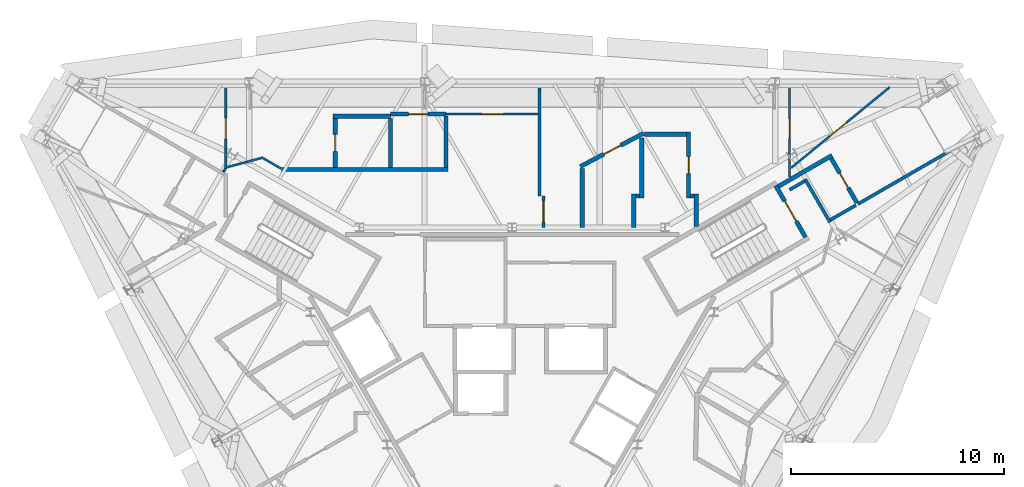
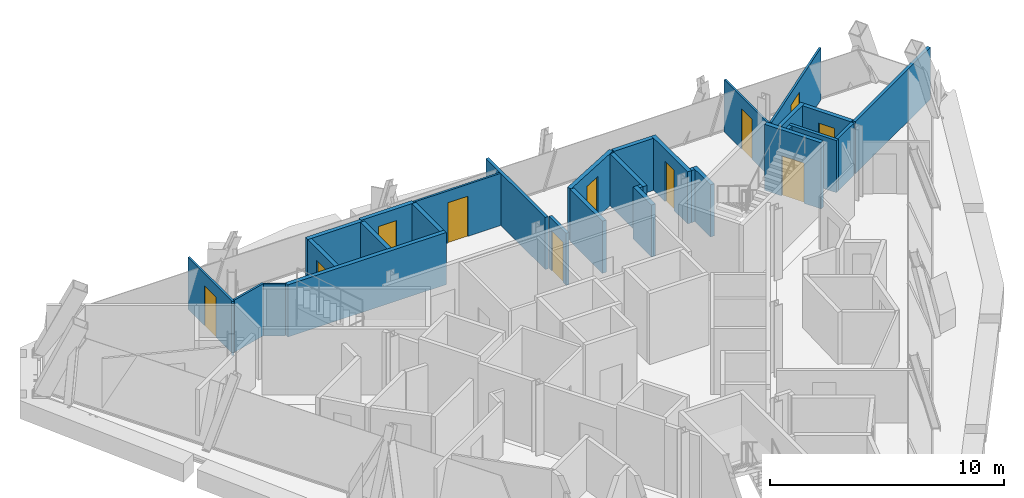
# One storey, part 10 of 13: 31 walls, 11 doors, 11 openings.
"""IFC4 building model written with IfcOpenShell, lengths in metres."""

from ifc_helpers import new_model, si_unit, direction, frame, frame_2d, origin, place, context, subcontext, project, spatial, rectangle, extrude, material, layer, layer_set, type_object, element, fill, save


model = new_model("IFC4")

# Units and contexts
model_context = context("Model", 3, precision=1e-05, world=origin(), true_north=direction((0.0, 1.0)))
body_context = subcontext(model_context, "Body", "Model", "MODEL_VIEW")
ifc_project = project(units=[si_unit("LENGTHUNIT", "METRE"), si_unit("AREAUNIT", "SQUARE_METRE"), si_unit("VOLUMEUNIT", "CUBIC_METRE"), si_unit("PLANEANGLEUNIT", "RADIAN"), si_unit("MASSUNIT", "GRAM", prefix="KILO")], contexts=[model_context])

# Site, building, storey
site_placement = place(None, origin())
site = spatial("IfcSite", under=ifc_project, at=site_placement, CompositionType="ELEMENT")
building_placement = place(site_placement, origin())
building = spatial("IfcBuilding", under=site, at=building_placement, Name="Verrane Prism Tower", CompositionType="ELEMENT")
storey_placement = place(building_placement, frame((0.0, 0.0, 304.699951171875)))
storey = spatial("IfcBuildingStorey", under=building, at=storey_placement, Name="L77", CompositionType="ELEMENT", Elevation=304.699951171875)

# Wall, opening, door
ifc_material_1 = material(Name="Concrete C40/50", Category="concrete")
ifc_layer_1 = layer(ifc_material_1, 0.199951171875)
ifc_layer_set_1 = layer_set([ifc_layer_1], Name="CW-200 stair core wall concrete C40/50 3 h")
wall_type_1 = type_object("IfcWallType", Name="CW-200 stair core wall concrete C40/50 3 h", PredefinedType="PARTITIONING", material=ifc_layer_set_1)
wall_1_placement = place(storey_placement, frame((13.777099609375, 6.337646484375, 0.0), z_axis=(0.0, 0.0, 1.0), x_axis=(-0.500049511043, 0.865996816683, 0.0)))
wall_1 = element("IfcWall", 1, at=wall_1_placement, inside=storey, type_object=wall_type_1, Name="Stair 1 enclosure wall", PredefinedType="PARTITIONING", context=body_context, shape_type="SweptSolid", body=[
    extrude(rectangle(XDim=2.800048828125, YDim=0.199951171875, at=frame_2d((1.39990234375, 0.0))), origin(), (0.0, 0.0, 1.0), 3.449951171875),
])
opening_1_placement = place(wall_1_placement, frame((0.849853515625, 0.0, 0.0)))
opening_1 = element("IfcOpeningElement", 2, at=opening_1_placement, cuts=wall_1, Name="Opening D75500", PredefinedType="OPENING", context=body_context, shape_type="SweptSolid", body=[
    extrude(rectangle(XDim=1.10009765625, YDim=2.10009765625, at=frame_2d((0.550048828125, 1.050048828125))), frame((0.0, 0.10986328125, 0.0), z_axis=(0.0, -1.0, 0.0), x_axis=(1.0, 0.0, 0.0)), (0.0, 0.0, 1.0), 0.219970703125),
])
ifc_material_2 = material(Name="Timber veneered door leaf", Category="wood")
door_type_1 = type_object("IfcDoorType", Name="DR-1100x2100 FD90 single leaf stair", OperationType="NOTDEFINED", PredefinedType="DOOR", material=ifc_material_2)
door_1_placement = place(opening_1_placement, origin())
door_1 = element("IfcDoor", 3, at=door_1_placement, inside=storey, type_object=door_type_1, Name="Stair 1 door", OperationType="SINGLE_SWING_LEFT", OverallHeight=2.10009765625, OverallWidth=1.10009765625, PredefinedType="DOOR", context=body_context, shape_type="SweptSolid", body=[
    extrude(rectangle(XDim=1.10009765625, YDim=2.10009765625, at=frame_2d((0.550048828125, 1.050048828125))), frame((0.0, 0.02490234375, 0.0), z_axis=(0.0, -1.0, 0.0), x_axis=(1.0, 0.0, 0.0)), (0.0, 0.0, 1.0), 0.050048828125),
])
fill(opening_1, door_1)

# Wall
ifc_material_3 = material(Name="Gypsum board partition", Category="other")
ifc_layer_2 = layer(ifc_material_3, 0.10009765625)
ifc_layer_set_2 = layer_set([ifc_layer_2], Name="PW-100 room partition")
wall_type_2 = type_object("IfcWallType", Name="PW-100 room partition", PredefinedType="PARTITIONING", material=ifc_layer_set_2)
wall_2_placement = place(storey_placement, frame((-13.5654296875, 9.404052734375, 0.0), z_axis=(0.0, 0.0, 1.0), x_axis=(0.500563174455, 0.865700010615, 0.0)))
element("IfcWall", 4, at=wall_2_placement, inside=storey, type_object=wall_type_2, Name="Room partition 009", PredefinedType="PARTITIONING", context=body_context, shape_type="SweptSolid", body=[
    extrude(rectangle(XDim=0.142333984375, YDim=0.10009765625, at=frame_2d((0.0712890625, 0.0))), origin(), (0.0, 0.0, 1.0), 2.72314453125),
])

# Wall, opening, door
wall_3_placement = place(storey_placement, frame((-13.458984375, 9.5380859375, 0.0), z_axis=(0.0, 0.0, 1.0), x_axis=(0.0, 1.0, 0.0)))
wall_3 = element("IfcWall", 5, at=wall_3_placement, inside=storey, type_object=wall_type_2, Name="Room partition 011", PredefinedType="PARTITIONING", context=body_context, shape_type="SweptSolid", body=[
    extrude(rectangle(XDim=3.81298828125, YDim=0.10009765625, at=frame_2d((1.906494140625, 0.0))), origin(), (0.0, 0.0, 1.0), 2.72314453125),
])
opening_2_placement = place(wall_3_placement, frame((1.39990234375, 0.0, 0.0)))
opening_2 = element("IfcOpeningElement", 6, at=opening_2_placement, cuts=wall_3, Name="Opening D75019", PredefinedType="OPENING", context=body_context, shape_type="SweptSolid", body=[
    extrude(rectangle(XDim=1.0, YDim=2.10009765625, at=frame_2d((0.5, 1.050048828125))), frame((0.0, 0.06005859375, 0.0), z_axis=(0.0, -1.0, 0.0), x_axis=(1.0, 0.0, 0.0)), (0.0, 0.0, 1.0), 0.1201171875),
])
ifc_material_4 = material(Name="Timber veneered door leaf", Category="wood")
door_type_2 = type_object("IfcDoorType", Name="DR-1000x2100 single leaf inner", OperationType="NOTDEFINED", PredefinedType="DOOR", material=ifc_material_4)
door_2_placement = place(opening_2_placement, origin())
door_2 = element("IfcDoor", 7, at=door_2_placement, inside=storey, type_object=door_type_2, Name="Living And Dining Room door", OperationType="SINGLE_SWING_LEFT", OverallHeight=2.10009765625, OverallWidth=1.0, PredefinedType="DOOR", context=body_context, shape_type="SweptSolid", body=[
    extrude(rectangle(XDim=1.0, YDim=2.10009765625, at=frame_2d((0.5, 1.050048828125))), frame((0.0, 0.02490234375, 0.0), z_axis=(0.0, -1.0, 0.0), x_axis=(1.0, 0.0, 0.0)), (0.0, 0.0, 1.0), 0.050048828125),
])
fill(opening_2, door_2)

# Walls
wall_4_placement = place(storey_placement, frame((-13.383056640625, 9.6279296875, 0.0), z_axis=(0.0, 0.0, 1.0), x_axis=(0.966010217228, 0.258503888194, 0.0)))
element("IfcWall", 8, at=wall_4_placement, inside=storey, type_object=wall_type_2, Name="Room partition 012", PredefinedType="PARTITIONING", context=body_context, shape_type="SweptSolid", body=[
    extrude(rectangle(XDim=1.751953125, YDim=0.10009765625, at=frame_2d((0.8759765625, 0.0))), origin(), (0.0, 0.0, 1.0), 2.72314453125),
])
wall_5_placement = place(storey_placement, frame((-11.678466796875, 10.032958984375, 0.0), z_axis=(0.0, 0.0, 1.0), x_axis=(0.866116627388, -0.499841962787, 0.0)))
element("IfcWall", 9, at=wall_5_placement, inside=storey, type_object=wall_type_2, Name="Room partition 016", PredefinedType="PARTITIONING", context=body_context, shape_type="SweptSolid", body=[
    extrude(rectangle(XDim=0.943115234375, YDim=0.10009765625, at=frame_2d((0.4716796875, 0.0))), origin(), (0.0, 0.0, 1.0), 2.72314453125),
])

# Wall, opening, door
wall_6_placement = place(storey_placement, frame((-3.10888671875, 12.118896484375, 0.0), z_axis=(0.0, 0.0, 1.0), x_axis=(1.0, 0.0, 0.0)))
wall_6 = element("IfcWall", 10, at=wall_6_placement, inside=storey, type_object=wall_type_2, Name="Room partition 039", PredefinedType="PARTITIONING", context=body_context, shape_type="SweptSolid", body=[
    extrude(rectangle(XDim=4.31982421875, YDim=0.10009765625, at=frame_2d((2.159912109375, 0.0))), origin(), (0.0, 0.0, 1.0), 2.72314453125),
])
opening_3_placement = place(wall_6_placement, frame((1.699951171875, 0.0, 0.0)))
opening_3 = element("IfcOpeningElement", 11, at=opening_3_placement, cuts=wall_6, Name="Opening D75017", PredefinedType="OPENING", context=body_context, shape_type="SweptSolid", body=[
    extrude(rectangle(XDim=1.0, YDim=2.10009765625, at=frame_2d((0.5, 1.050048828125))), frame((0.0, 0.06005859375, 0.0), z_axis=(0.0, -1.0, 0.0), x_axis=(1.0, 0.0, 0.0)), (0.0, 0.0, 1.0), 0.1201171875),
])
door_3_placement = place(opening_3_placement, origin())
door_3 = element("IfcDoor", 12, at=door_3_placement, inside=storey, type_object=door_type_2, Name="Entrance Foyer door", OperationType="SINGLE_SWING_LEFT", OverallHeight=2.10009765625, OverallWidth=1.0, PredefinedType="DOOR", context=body_context, shape_type="SweptSolid", body=[
    extrude(rectangle(XDim=1.0, YDim=2.10009765625, at=frame_2d((0.5, 1.050048828125))), frame((0.0, 0.02490234375, 0.0), z_axis=(0.0, -1.0, 0.0), x_axis=(1.0, 0.0, 0.0)), (0.0, 0.0, 1.0), 0.050048828125),
])
fill(opening_3, door_3)

wall_7_placement = place(storey_placement, frame((13.031005859375, 13.35107421875, 0.0), z_axis=(0.0, 0.0, 1.0), x_axis=(0.0, -1.0, 0.0)))
wall_7 = element("IfcWall", 13, at=wall_7_placement, inside=storey, type_object=wall_type_2, Name="Room partition 084", PredefinedType="PARTITIONING", context=body_context, shape_type="SweptSolid", body=[
    extrude(rectangle(XDim=4.1826171875, YDim=0.10009765625, at=frame_2d((2.09130859375, 0.0))), origin(), (0.0, 0.0, 1.0), 2.72314453125),
])
opening_4_placement = place(wall_7_placement, frame((1.468994140625, 0.0, 0.0)))
opening_4 = element("IfcOpeningElement", 14, at=opening_4_placement, cuts=wall_7, Name="Opening D75011", PredefinedType="OPENING", context=body_context, shape_type="SweptSolid", body=[
    extrude(rectangle(XDim=0.89990234375, YDim=2.10009765625, at=frame_2d((0.449951171875, 1.050048828125))), frame((0.0, 0.06005859375, 0.0), z_axis=(0.0, -1.0, 0.0), x_axis=(1.0, 0.0, 0.0)), (0.0, 0.0, 1.0), 0.1201171875),
])
ifc_material_5 = material(Name="Timber veneered door leaf", Category="wood")
door_type_3 = type_object("IfcDoorType", Name="DR-900x2100 single leaf inner", OperationType="NOTDEFINED", PredefinedType="DOOR", material=ifc_material_5)
door_4_placement = place(opening_4_placement, origin())
door_4 = element("IfcDoor", 15, at=door_4_placement, inside=storey, type_object=door_type_3, Name="Living And Dining Room door", OperationType="SINGLE_SWING_RIGHT", OverallHeight=2.10009765625, OverallWidth=0.89990234375, PredefinedType="DOOR", context=body_context, shape_type="SweptSolid", body=[
    extrude(rectangle(XDim=0.89990234375, YDim=2.10009765625, at=frame_2d((0.449951171875, 1.050048828125))), frame((0.0, 0.02490234375, 0.0), z_axis=(0.0, -1.0, 0.0), x_axis=(1.0, 0.0, 0.0)), (0.0, 0.0, 1.0), 0.050048828125),
])
fill(opening_4, door_4)

wall_8_placement = place(storey_placement, frame((17.73291015625, 13.38037109375, 0.0), z_axis=(0.0, 0.0, 1.0), x_axis=(-0.773858908961, -0.633358025939, 0.0)))
wall_8 = element("IfcWall", 16, at=wall_8_placement, inside=storey, type_object=wall_type_2, Name="Room partition 085", PredefinedType="PARTITIONING", context=body_context, shape_type="SweptSolid", body=[
    extrude(rectangle(XDim=5.970458984375, YDim=0.10009765625, at=frame_2d((2.9853515625, 0.0))), origin(), (0.0, 0.0, 1.0), 2.72314453125),
])
opening_5_placement = place(wall_8_placement, frame((2.6259765625, 0.0, 0.0)))
opening_5 = element("IfcOpeningElement", 17, at=opening_5_placement, cuts=wall_8, Name="Opening D75015", PredefinedType="OPENING", context=body_context, shape_type="SweptSolid", body=[
    extrude(rectangle(XDim=1.0, YDim=2.10009765625, at=frame_2d((0.5, 1.050048828125))), frame((0.0, 0.06005859375, 0.0), z_axis=(0.0, -1.0, 0.0), x_axis=(1.0, 0.0, 0.0)), (0.0, 0.0, 1.0), 0.1201171875),
])
door_5_placement = place(opening_5_placement, origin())
door_5 = element("IfcDoor", 18, at=door_5_placement, inside=storey, type_object=door_type_2, Name="Study door", OperationType="SINGLE_SWING_RIGHT", OverallHeight=2.10009765625, OverallWidth=1.0, PredefinedType="DOOR", context=body_context, shape_type="SweptSolid", body=[
    extrude(rectangle(XDim=1.0, YDim=2.10009765625, at=frame_2d((0.5, 1.050048828125))), frame((0.0, 0.02490234375, 0.0), z_axis=(0.0, -1.0, 0.0), x_axis=(1.0, 0.0, 0.0)), (0.0, 0.0, 1.0), 0.050048828125),
])
fill(opening_5, door_5)

# Wall
ifc_material_6 = material(Name="Gypsum board partition", Category="other")
ifc_layer_3 = layer(ifc_material_6, 0.14990234375)
ifc_layer_set_3 = layer_set([ifc_layer_3], Name="PW-150 demising wall 1 h")
wall_type_3 = type_object("IfcWallType", Name="PW-150 demising wall 1 h", PredefinedType="PARTITIONING", material=ifc_layer_set_3)
wall_9_placement = place(storey_placement, frame((1.285888671875, 8.26904296875, 0.0), z_axis=(0.0, 0.0, 1.0), x_axis=(0.0, 1.0, 0.0)))
element("IfcWall", 19, at=wall_9_placement, inside=storey, type_object=wall_type_3, Name="Demising wall 047", PredefinedType="PARTITIONING", context=body_context, shape_type="SweptSolid", body=[
    extrude(rectangle(XDim=5.08203125, YDim=0.14990234375, at=frame_2d((2.541015625, 0.0))), origin(), (0.0, 0.0, 1.0), 2.72314453125),
])

# Wall, opening, door
wall_10_placement = place(storey_placement, frame((1.468994140625, 8.26904296875, 0.0), z_axis=(0.0, 0.0, 1.0), x_axis=(0.0, -1.0, 0.0)))
wall_10 = element("IfcWall", 20, at=wall_10_placement, inside=storey, type_object=wall_type_3, Name="Demising wall 050", PredefinedType="PARTITIONING", context=body_context, shape_type="SweptSolid", body=[
    extrude(rectangle(XDim=1.468994140625, YDim=0.14990234375, at=frame_2d((0.734375, 0.0))), origin(), (0.0, 0.0, 1.0), 2.72314453125),
])
opening_6_placement = place(wall_10_placement, frame((0.218994140625, 0.0, 0.0)))
opening_6 = element("IfcOpeningElement", 21, at=opening_6_placement, cuts=wall_10, Name="Opening D75013", PredefinedType="OPENING", context=body_context, shape_type="SweptSolid", body=[
    extrude(rectangle(XDim=1.0, YDim=2.10009765625, at=frame_2d((0.5, 1.050048828125))), frame((0.0, 0.0849609375, 0.0), z_axis=(0.0, -1.0, 0.0), x_axis=(1.0, 0.0, 0.0)), (0.0, 0.0, 1.0), 0.169921875),
])
ifc_material_7 = material(Name="Timber veneered door leaf", Category="wood")
door_type_4 = type_object("IfcDoorType", Name="DR-1000x2100 FD20 single leaf inner", OperationType="NOTDEFINED", PredefinedType="DOOR", material=ifc_material_7)
door_6_placement = place(opening_6_placement, origin())
door_6 = element("IfcDoor", 22, at=door_6_placement, inside=storey, type_object=door_type_4, Name="Entrance Foyer door", OperationType="SINGLE_SWING_RIGHT", OverallHeight=2.10009765625, OverallWidth=1.0, PredefinedType="DOOR", context=body_context, shape_type="SweptSolid", body=[
    extrude(rectangle(XDim=1.0, YDim=2.10009765625, at=frame_2d((0.5, 1.050048828125))), frame((0.0, 0.02490234375, 0.0), z_axis=(0.0, -1.0, 0.0), x_axis=(1.0, 0.0, 0.0)), (0.0, 0.0, 1.0), 0.050048828125),
])
fill(opening_6, door_6)

# Walls
wall_11_placement = place(storey_placement, frame((13.031005859375, 8.56201171875, 0.0), z_axis=(0.0, 0.0, 1.0), x_axis=(0.865798205633, 0.500393312429, 0.0)))
element("IfcWall", 23, at=wall_11_placement, inside=storey, type_object=wall_type_3, Name="Demising wall 083", PredefinedType="PARTITIONING", context=body_context, shape_type="SweptSolid", body=[
    extrude(rectangle(XDim=0.808349609375, YDim=0.14990234375, at=frame_2d((0.404296875, 0.0))), origin(), (0.0, 0.0, 1.0), 2.72314453125),
])
wall_12_placement = place(storey_placement, frame((13.758544921875, 9.06884765625, 0.0), z_axis=(0.0, 0.0, 1.0), x_axis=(0.500046885369, -0.865998332812, 0.0)))
element("IfcWall", 24, at=wall_12_placement, inside=storey, type_object=wall_type_3, Name="Demising wall 086", PredefinedType="PARTITIONING", context=body_context, shape_type="SweptSolid", body=[
    extrude(rectangle(XDim=2.344970703125, YDim=0.14990234375, at=frame_2d((1.17236328125, 0.0))), origin(), (0.0, 0.0, 1.0), 2.72314453125),
])
wall_13_placement = place(storey_placement, frame((14.953857421875, 7.1494140625, 0.0), z_axis=(0.0, 0.0, 1.0), x_axis=(0.865960792519, 0.5001118933, 0.0)))
element("IfcWall", 25, at=wall_13_placement, inside=storey, type_object=wall_type_3, Name="Demising wall 088", PredefinedType="PARTITIONING", context=body_context, shape_type="SweptSolid", body=[
    extrude(rectangle(XDim=1.374755859375, YDim=0.14990234375, at=frame_2d((0.6875, 0.0))), origin(), (0.0, 0.0, 1.0), 2.72314453125),
])
wall_14_placement = place(storey_placement, frame((16.236083984375, 7.888916015625, 0.0), z_axis=(0.0, 0.0, 1.0), x_axis=(0.865995456094, 0.500051867335, 0.0)))
element("IfcWall", 26, at=wall_14_placement, inside=storey, type_object=wall_type_3, Name="Demising wall 091", PredefinedType="PARTITIONING", context=body_context, shape_type="SweptSolid", body=[
    extrude(rectangle(XDim=6.415283203125, YDim=0.14990234375, at=frame_2d((3.20751953125, 0.0))), origin(), (0.0, 0.0, 1.0), 2.72314453125),
])
ifc_material_8 = material(Name="Gypsum board partition", Category="other")
ifc_layer_4 = layer(ifc_material_8, 0.199951171875)
ifc_layer_set_4 = layer_set([ifc_layer_4], Name="PW-200 plumbing wall")
wall_type_4 = type_object("IfcWallType", Name="PW-200 plumbing wall", PredefinedType="PARTITIONING", material=ifc_layer_set_4)
wall_15_placement = place(storey_placement, frame((-10.837890625, 9.51904296875, 0.0), z_axis=(0.0, 0.0, 1.0), x_axis=(1.0, 0.0, 0.0)))
element("IfcWall", 27, at=wall_15_placement, inside=storey, type_object=wall_type_4, Name="Plumbing wall 019", PredefinedType="PARTITIONING", context=body_context, shape_type="SweptSolid", body=[
    extrude(rectangle(XDim=7.823974609375, YDim=0.199951171875, at=frame_2d((3.912109375, 0.0))), origin(), (0.0, 0.0, 1.0), 2.72314453125),
])

# Wall, opening, door
wall_16_placement = place(storey_placement, frame((-8.31396484375, 11.9189453125, 0.0), z_axis=(0.0, 0.0, 1.0), x_axis=(0.0, -1.0, 0.0)))
wall_16 = element("IfcWall", 28, at=wall_16_placement, inside=storey, type_object=wall_type_4, Name="Plumbing wall 022", PredefinedType="PARTITIONING", context=body_context, shape_type="SweptSolid", body=[
    extrude(rectangle(XDim=2.300048828125, YDim=0.199951171875, at=frame_2d((1.14990234375, 0.0))), origin(), (0.0, 0.0, 1.0), 2.72314453125),
])
opening_7_placement = place(wall_16_placement, frame((0.75, 0.0, 0.0)))
opening_7 = element("IfcOpeningElement", 29, at=opening_7_placement, cuts=wall_16, Name="Opening D75020", PredefinedType="OPENING", context=body_context, shape_type="SweptSolid", body=[
    extrude(rectangle(XDim=0.800048828125, YDim=2.10009765625, at=frame_2d((0.39990234375, 1.050048828125))), frame((0.0, 0.10986328125, 0.0), z_axis=(0.0, -1.0, 0.0), x_axis=(1.0, 0.0, 0.0)), (0.0, 0.0, 1.0), 0.219970703125),
])
ifc_material_9 = material(Name="Timber veneered door leaf", Category="wood")
door_type_5 = type_object("IfcDoorType", Name="DR-800x2100 single leaf inner", OperationType="NOTDEFINED", PredefinedType="DOOR", material=ifc_material_9)
door_7_placement = place(opening_7_placement, origin())
door_7 = element("IfcDoor", 30, at=door_7_placement, inside=storey, type_object=door_type_5, Name="Bathroom door", OperationType="SINGLE_SWING_LEFT", OverallHeight=2.10009765625, OverallWidth=0.800048828125, PredefinedType="DOOR", context=body_context, shape_type="SweptSolid", body=[
    extrude(rectangle(XDim=0.800048828125, YDim=2.10009765625, at=frame_2d((0.39990234375, 1.050048828125))), frame((0.0, 0.02490234375, 0.0), z_axis=(0.0, -1.0, 0.0), x_axis=(1.0, 0.0, 0.0)), (0.0, 0.0, 1.0), 0.050048828125),
])
fill(opening_7, door_7)

# Walls
wall_17_placement = place(storey_placement, frame((-8.4140625, 12.01904296875, 0.0), z_axis=(0.0, 0.0, 1.0), x_axis=(1.0, 0.0, 0.0)))
element("IfcWall", 31, at=wall_17_placement, inside=storey, type_object=wall_type_4, Name="Plumbing wall 023", PredefinedType="PARTITIONING", context=body_context, shape_type="SweptSolid", body=[
    extrude(rectangle(XDim=2.699951171875, YDim=0.199951171875, at=frame_2d((1.35009765625, 0.0))), origin(), (0.0, 0.0, 1.0), 2.72314453125),
])
wall_18_placement = place(storey_placement, frame((-5.714111328125, 9.618896484375, 0.0), z_axis=(0.0, 0.0, 1.0), x_axis=(0.0, 1.0, 0.0)))
element("IfcWall", 32, at=wall_18_placement, inside=storey, type_object=wall_type_4, Name="Plumbing wall 030", PredefinedType="PARTITIONING", context=body_context, shape_type="SweptSolid", body=[
    extrude(rectangle(XDim=2.300048828125, YDim=0.199951171875, at=frame_2d((1.14990234375, 0.0))), origin(), (0.0, 0.0, 1.0), 2.72314453125),
])

# Wall, opening, door
wall_19_placement = place(storey_placement, frame((-3.10888671875, 12.118896484375, 0.0), z_axis=(0.0, 0.0, 1.0), x_axis=(-1.0, 0.0, 0.0)))
wall_19 = element("IfcWall", 33, at=wall_19_placement, inside=storey, type_object=wall_type_4, Name="Plumbing wall 031", PredefinedType="PARTITIONING", context=body_context, shape_type="SweptSolid", body=[
    extrude(rectangle(XDim=2.605224609375, YDim=0.199951171875, at=frame_2d((1.302734375, 0.0))), origin(), (0.0, 0.0, 1.0), 2.72314453125),
])
opening_8_placement = place(wall_19_placement, frame((0.85498046875, 0.0, 0.0)))
opening_8 = element("IfcOpeningElement", 34, at=opening_8_placement, cuts=wall_19, Name="Opening D75018", PredefinedType="OPENING", context=body_context, shape_type="SweptSolid", body=[
    extrude(rectangle(XDim=0.89990234375, YDim=2.10009765625, at=frame_2d((0.449951171875, 1.050048828125))), frame((0.0, 0.10986328125, 0.0), z_axis=(0.0, -1.0, 0.0), x_axis=(1.0, 0.0, 0.0)), (0.0, 0.0, 1.0), 0.219970703125),
])
door_8_placement = place(opening_8_placement, origin())
door_8 = element("IfcDoor", 35, at=door_8_placement, inside=storey, type_object=door_type_3, Name="Kitchen door", OperationType="SINGLE_SWING_LEFT", OverallHeight=2.10009765625, OverallWidth=0.89990234375, PredefinedType="DOOR", context=body_context, shape_type="SweptSolid", body=[
    extrude(rectangle(XDim=0.89990234375, YDim=2.10009765625, at=frame_2d((0.449951171875, 1.050048828125))), frame((0.0, 0.02490234375, 0.0), z_axis=(0.0, -1.0, 0.0), x_axis=(1.0, 0.0, 0.0)), (0.0, 0.0, 1.0), 0.050048828125),
])
fill(opening_8, door_8)

# Walls
wall_20_placement = place(storey_placement, frame((-3.114013671875, 9.618896484375, 0.0), z_axis=(0.0, 0.0, 1.0), x_axis=(0.0, 1.0, 0.0)))
element("IfcWall", 36, at=wall_20_placement, inside=storey, type_object=wall_type_4, Name="Plumbing wall 038", PredefinedType="PARTITIONING", context=body_context, shape_type="SweptSolid", body=[
    extrude(rectangle(XDim=2.400146484375, YDim=0.199951171875, at=frame_2d((1.2001953125, 0.0))), origin(), (0.0, 0.0, 1.0), 2.72314453125),
])
wall_21_placement = place(storey_placement, frame((3.285888671875, 6.800048828125, 0.0), z_axis=(0.0, 0.0, 1.0), x_axis=(0.0, 1.0, 0.0)))
element("IfcWall", 37, at=wall_21_placement, inside=storey, type_object=wall_type_4, Name="Plumbing wall 056", PredefinedType="PARTITIONING", context=body_context, shape_type="SweptSolid", body=[
    extrude(rectangle(XDim=2.764892578125, YDim=0.199951171875, at=frame_2d((1.38232421875, 0.0))), origin(), (0.0, 0.0, 1.0), 2.72314453125),
])

# Wall, opening, door
wall_22_placement = place(storey_placement, frame((6.174560546875, 11.215576171875, 0.0), z_axis=(0.0, 0.0, 1.0), x_axis=(-0.885512941371, -0.464614712062, 0.0)))
wall_22 = element("IfcWall", 38, at=wall_22_placement, inside=storey, type_object=wall_type_4, Name="Plumbing wall 057", PredefinedType="PARTITIONING", context=body_context, shape_type="SweptSolid", body=[
    extrude(rectangle(XDim=3.362060546875, YDim=0.199951171875, at=frame_2d((1.68115234375, 0.0))), origin(), (0.0, 0.0, 1.0), 2.72314453125),
])
opening_9_placement = place(wall_22_placement, frame((1.2119140625, 0.0, 0.0)))
opening_9 = element("IfcOpeningElement", 39, at=opening_9_placement, cuts=wall_22, Name="Opening D75014", PredefinedType="OPENING", context=body_context, shape_type="SweptSolid", body=[
    extrude(rectangle(XDim=0.89990234375, YDim=2.10009765625, at=frame_2d((0.449951171875, 1.050048828125))), frame((0.0, 0.10986328125, 0.0), z_axis=(0.0, -1.0, 0.0), x_axis=(1.0, 0.0, 0.0)), (0.0, 0.0, 1.0), 0.219970703125),
])
door_9_placement = place(opening_9_placement, origin())
door_9 = element("IfcDoor", 40, at=door_9_placement, inside=storey, type_object=door_type_3, Name="Kitchen door", OperationType="SINGLE_SWING_LEFT", OverallHeight=2.10009765625, OverallWidth=0.89990234375, PredefinedType="DOOR", context=body_context, shape_type="SweptSolid", body=[
    extrude(rectangle(XDim=0.89990234375, YDim=2.10009765625, at=frame_2d((0.449951171875, 1.050048828125))), frame((0.0, 0.02490234375, 0.0), z_axis=(0.0, -1.0, 0.0), x_axis=(1.0, 0.0, 0.0)), (0.0, 0.0, 1.0), 0.050048828125),
])
fill(opening_9, door_9)

# Walls
wall_23_placement = place(storey_placement, frame((5.7109375, 6.800048828125, 0.0), z_axis=(0.0, 0.0, 1.0), x_axis=(0.0, 1.0, 0.0)))
element("IfcWall", 41, at=wall_23_placement, inside=storey, type_object=wall_type_4, Name="Plumbing wall 063", PredefinedType="PARTITIONING", context=body_context, shape_type="SweptSolid", body=[
    extrude(rectangle(XDim=1.56884765625, YDim=0.199951171875, at=frame_2d((0.784423828125, 0.0))), origin(), (0.0, 0.0, 1.0), 2.72314453125),
])
wall_24_placement = place(storey_placement, frame((5.81103515625, 8.26904296875, 0.0), z_axis=(0.0, 0.0, 1.0), x_axis=(1.0, 0.0, 0.0)))
element("IfcWall", 42, at=wall_24_placement, inside=storey, type_object=wall_type_4, Name="Plumbing wall 064", PredefinedType="PARTITIONING", context=body_context, shape_type="SweptSolid", body=[
    extrude(rectangle(XDim=0.175048828125, YDim=0.199951171875, at=frame_2d((0.08740234375, 0.0))), origin(), (0.0, 0.0, 1.0), 2.72314453125),
])
wall_25_placement = place(storey_placement, frame((6.0859375, 8.1689453125, 0.0), z_axis=(0.0, 0.0, 1.0), x_axis=(0.0, 1.0, 0.0)))
element("IfcWall", 43, at=wall_25_placement, inside=storey, type_object=wall_type_4, Name="Plumbing wall 065", PredefinedType="PARTITIONING", context=body_context, shape_type="SweptSolid", body=[
    extrude(rectangle(XDim=2.8349609375, YDim=0.199951171875, at=frame_2d((1.41748046875, 0.0))), origin(), (0.0, 0.0, 1.0), 2.72314453125),
])
wall_26_placement = place(storey_placement, frame((6.220947265625, 11.1689453125, 0.0), z_axis=(0.0, 0.0, 1.0), x_axis=(1.0, 0.0, 0.0)))
element("IfcWall", 44, at=wall_26_placement, inside=storey, type_object=wall_type_4, Name="Plumbing wall 066", PredefinedType="PARTITIONING", context=body_context, shape_type="SweptSolid", body=[
    extrude(rectangle(XDim=1.965087890625, YDim=0.199951171875, at=frame_2d((0.982421875, 0.0))), origin(), (0.0, 0.0, 1.0), 2.72314453125),
])

# Wall, opening, door
wall_27_placement = place(storey_placement, frame((8.285888671875, 8.1689453125, 0.0), z_axis=(0.0, 0.0, 1.0), x_axis=(0.0, 1.0, 0.0)))
wall_27 = element("IfcWall", 45, at=wall_27_placement, inside=storey, type_object=wall_type_4, Name="Plumbing wall 068", PredefinedType="PARTITIONING", context=body_context, shape_type="SweptSolid", body=[
    extrude(rectangle(XDim=3.10009765625, YDim=0.199951171875, at=frame_2d((1.550048828125, 0.0))), origin(), (0.0, 0.0, 1.0), 2.72314453125),
])
opening_10_placement = place(wall_27_placement, frame((1.14990234375, 0.0, 0.0)))
opening_10 = element("IfcOpeningElement", 46, at=opening_10_placement, cuts=wall_27, Name="Opening D75012", PredefinedType="OPENING", context=body_context, shape_type="SweptSolid", body=[
    extrude(rectangle(XDim=0.800048828125, YDim=2.10009765625, at=frame_2d((0.39990234375, 1.050048828125))), frame((0.0, 0.10986328125, 0.0), z_axis=(0.0, -1.0, 0.0), x_axis=(1.0, 0.0, 0.0)), (0.0, 0.0, 1.0), 0.219970703125),
])
door_10_placement = place(opening_10_placement, origin())
door_10 = element("IfcDoor", 47, at=door_10_placement, inside=storey, type_object=door_type_5, Name="Powder Room door", OperationType="SINGLE_SWING_RIGHT", OverallHeight=2.10009765625, OverallWidth=0.800048828125, PredefinedType="DOOR", context=body_context, shape_type="SweptSolid", body=[
    extrude(rectangle(XDim=0.800048828125, YDim=2.10009765625, at=frame_2d((0.39990234375, 1.050048828125))), frame((0.0, 0.02490234375, 0.0), z_axis=(0.0, -1.0, 0.0), x_axis=(1.0, 0.0, 0.0)), (0.0, 0.0, 1.0), 0.050048828125),
])
fill(opening_10, door_10)

# Walls
wall_28_placement = place(storey_placement, frame((8.385986328125, 8.26904296875, 0.0), z_axis=(0.0, 0.0, 1.0), x_axis=(1.0, 0.0, 0.0)))
element("IfcWall", 48, at=wall_28_placement, inside=storey, type_object=wall_type_4, Name="Plumbing wall 069", PredefinedType="PARTITIONING", context=body_context, shape_type="SweptSolid", body=[
    extrude(rectangle(XDim=0.1630859375, YDim=0.199951171875, at=frame_2d((0.08154296875, 0.0))), origin(), (0.0, 0.0, 1.0), 2.72314453125),
])
wall_29_placement = place(storey_placement, frame((8.64892578125, 6.841064453125, 0.0), z_axis=(0.0, 0.0, 1.0), x_axis=(0.0, 1.0, 0.0)))
element("IfcWall", 49, at=wall_29_placement, inside=storey, type_object=wall_type_4, Name="Plumbing wall 072", PredefinedType="PARTITIONING", context=body_context, shape_type="SweptSolid", body=[
    extrude(rectangle(XDim=1.52783203125, YDim=0.199951171875, at=frame_2d((0.763916015625, 0.0))), origin(), (0.0, 0.0, 1.0), 2.72314453125),
])
wall_30_placement = place(storey_placement, frame((12.513916015625, 8.72607421875, 0.0), z_axis=(0.0, 0.0, 1.0), x_axis=(0.865969617579, 0.500096612097, 0.0)))
element("IfcWall", 50, at=wall_30_placement, inside=storey, type_object=wall_type_4, Name="Plumbing wall 082", PredefinedType="PARTITIONING", context=body_context, shape_type="SweptSolid", body=[
    extrude(rectangle(XDim=2.8994140625, YDim=0.199951171875, at=frame_2d((1.44970703125, 0.0))), origin(), (0.0, 0.0, 1.0), 2.72314453125),
])

# Wall, opening, door
wall_31_placement = place(storey_placement, frame((16.193603515625, 7.951904296875, 0.0), z_axis=(0.0, 0.0, 1.0), x_axis=(-0.500125724882, 0.865952804321, 0.0)))
wall_31 = element("IfcWall", 51, at=wall_31_placement, inside=storey, type_object=wall_type_4, Name="Plumbing wall 089", PredefinedType="PARTITIONING", context=body_context, shape_type="SweptSolid", body=[
    extrude(rectangle(XDim=2.41064453125, YDim=0.199951171875, at=frame_2d((1.205322265625, 0.0))), origin(), (0.0, 0.0, 1.0), 2.72314453125),
])
opening_11_placement = place(wall_31_placement, frame((0.810546875, 0.0, 0.0)))
opening_11 = element("IfcOpeningElement", 52, at=opening_11_placement, cuts=wall_31, Name="Opening D75016", PredefinedType="OPENING", context=body_context, shape_type="SweptSolid", body=[
    extrude(rectangle(XDim=0.800048828125, YDim=2.10009765625, at=frame_2d((0.39990234375, 1.050048828125))), frame((0.0, 0.10986328125, 0.0), z_axis=(0.0, -1.0, 0.0), x_axis=(1.0, 0.0, 0.0)), (0.0, 0.0, 1.0), 0.219970703125),
])
ifc_material_10 = material(Name="Timber veneered door leaf", Category="wood")
door_type_6 = type_object("IfcDoorType", Name="DR-800x2100 single leaf bath", OperationType="NOTDEFINED", PredefinedType="DOOR", material=ifc_material_10)
door_11_placement = place(opening_11_placement, origin())
door_11 = element("IfcDoor", 53, at=door_11_placement, inside=storey, type_object=door_type_6, Name="Master Bathroom door", OperationType="SINGLE_SWING_LEFT", OverallHeight=2.10009765625, OverallWidth=0.800048828125, PredefinedType="DOOR", context=body_context, shape_type="SweptSolid", body=[
    extrude(rectangle(XDim=0.800048828125, YDim=2.10009765625, at=frame_2d((0.39990234375, 1.050048828125))), frame((0.0, 0.02490234375, 0.0), z_axis=(0.0, -1.0, 0.0), x_axis=(1.0, 0.0, 0.0)), (0.0, 0.0, 1.0), 0.050048828125),
])
fill(opening_11, door_11)

save(model, "model.ifc")
